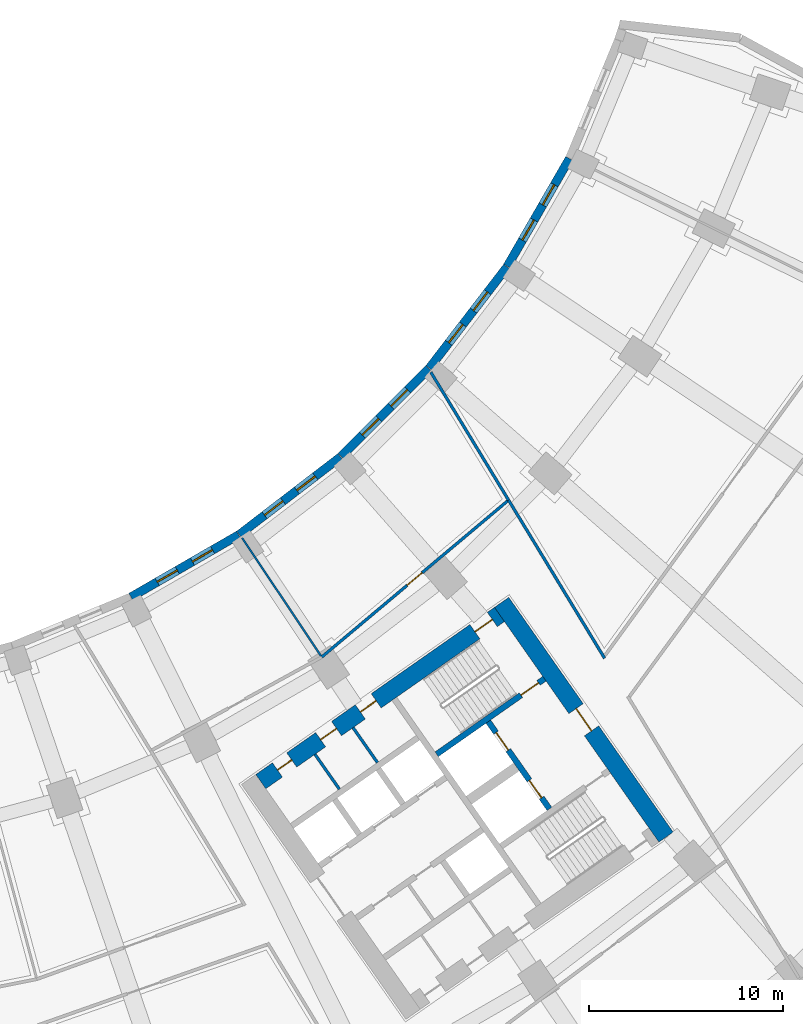
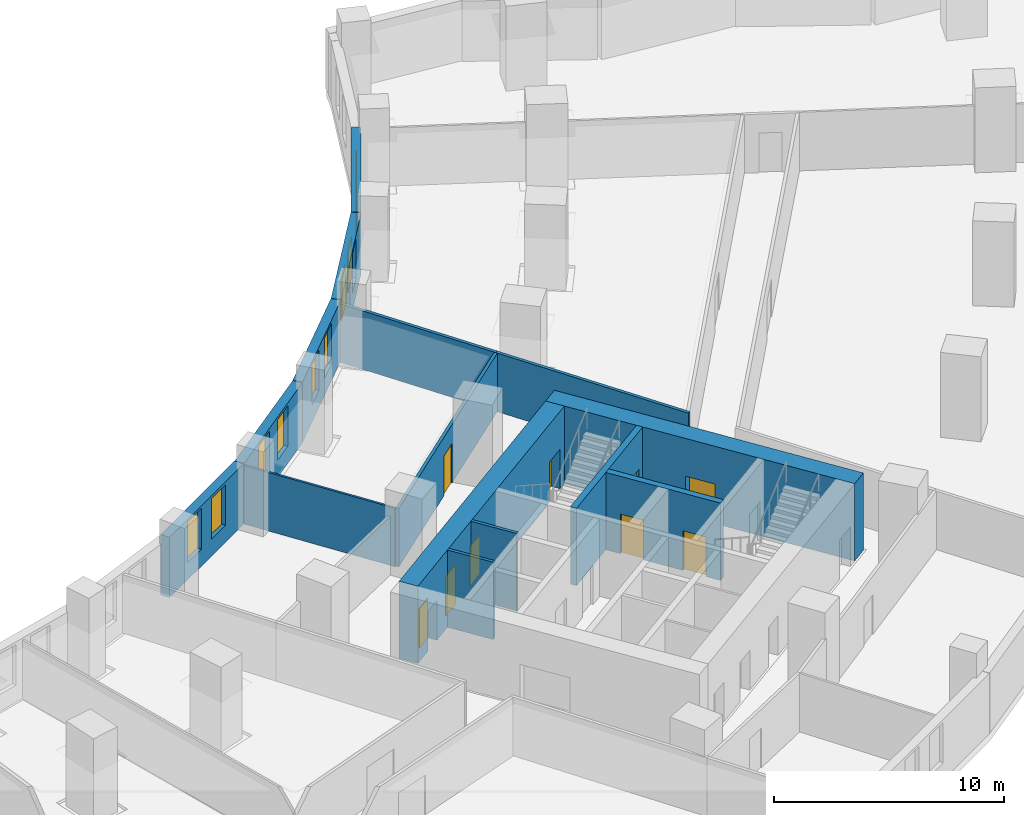
# One storey, part 11 of 20: 15 walls, 10 windows, 9 doors, 19 openings.
"""IFC4 building model written with IfcOpenShell, lengths in metres."""

from ifc_helpers import new_model, si_unit, direction, frame, frame_2d, origin, place, context, subcontext, project, spatial, rectangle, extrude, material, layer, layer_set, type_object, element, fill, save


model = new_model("IFC4")

# Units and contexts
model_context = context("Model", 3, precision=1e-05, world=origin(), true_north=direction((0.0, 1.0)))
body_context = subcontext(model_context, "Body", "Model", "MODEL_VIEW")
ifc_project = project(units=[si_unit("LENGTHUNIT", "METRE"), si_unit("AREAUNIT", "SQUARE_METRE"), si_unit("VOLUMEUNIT", "CUBIC_METRE"), si_unit("PLANEANGLEUNIT", "RADIAN"), si_unit("MASSUNIT", "GRAM", prefix="KILO")], contexts=[model_context])

# Site, building, storey
site_placement = place(None, origin())
site = spatial("IfcSite", under=ifc_project, at=site_placement, CompositionType="ELEMENT")
building_placement = place(site_placement, origin())
building = spatial("IfcBuilding", under=site, at=building_placement, Name="Qamariyya Broadcast Tower", CompositionType="ELEMENT")
storey_placement = place(building_placement, frame((0.0, 0.0, 31.5)))
storey = spatial("IfcBuildingStorey", under=building, at=storey_placement, Name="L04", CompositionType="ELEMENT", Elevation=31.5)

# Wall, opening, door
ifc_material_1 = material(Name="Concrete C70/85", Category="concrete")
ifc_layer_1 = layer(ifc_material_1, 0.89990234375)
ifc_layer_set_1 = layer_set([ifc_layer_1], Name="Core wall 900 mm Concrete C70/85")
wall_type_1 = type_object("IfcWallType", Name="Core wall 900 mm Concrete C70/85", PredefinedType="SHEAR", material=ifc_layer_set_1)
wall_1_placement = place(storey_placement, frame((49.778564453125, -57.191162109375, 0.0), z_axis=(0.0, 0.0, 1.0), x_axis=(-0.573577477574, 0.819151315216, 0.0)))
wall_1 = element("IfcWall", 1, at=wall_1_placement, inside=storey, type_object=wall_type_1, Name="k-E-L04-WH", PredefinedType="SHEAR", context=body_context, shape_type="SweptSolid", body=[
    extrude(rectangle(XDim=14.800048828125, YDim=0.89990234375, at=frame_2d((7.39990234375, 0.0))), origin(), (0.0, 0.0, 1.0), 4.10009765625),
])
opening_1_placement = place(wall_1_placement, frame((6.699951171875, 0.0, 0.0)))
opening_1 = element("IfcOpeningElement", 2, at=opening_1_placement, cuts=wall_1, Name="Opening KD2-E1", PredefinedType="OPENING", context=body_context, shape_type="SweptSolid", body=[
    extrude(rectangle(XDim=1.39990234375, YDim=2.10009765625, at=frame_2d((0.699951171875, 1.050048828125))), frame((0.0, 0.4599609375, 0.0), z_axis=(0.0, -1.0, 0.0), x_axis=(1.0, 0.0, 0.0)), (0.0, 0.0, 1.0), 0.919921875),
])
ifc_material_2 = material(Name="Steel fire-resisting door leaf", Category="steel")
door_type_1 = type_object("IfcDoorType", Name="Fire-fighting lobby door KD2", OperationType="DOUBLE_DOOR_SINGLE_SWING", PredefinedType="DOOR", material=ifc_material_2)
door_1_placement = place(opening_1_placement, origin())
door_1 = element("IfcDoor", 3, at=door_1_placement, inside=storey, type_object=door_type_1, Name="k-E-L04-WH-D15", OperationType="DOUBLE_DOOR_SINGLE_SWING", OverallHeight=2.10009765625, OverallWidth=1.39990234375, PredefinedType="DOOR", context=body_context, shape_type="SweptSolid", body=[
    extrude(rectangle(XDim=1.39990234375, YDim=2.10009765625, at=frame_2d((0.699951171875, 1.050048828125))), frame((0.0, 0.02490234375, 0.0), z_axis=(0.0, -1.0, 0.0), x_axis=(1.0, 0.0, 0.0)), (0.0, 0.0, 1.0), 0.050048828125),
])
fill(opening_1, door_1)

# Wall, openings, doors
wall_2_placement = place(storey_placement, frame((28.8544921875, -54.32421875, 0.0), z_axis=(0.0, 0.0, 1.0), x_axis=(0.819145767589, 0.573585400304, 0.0)))
wall_2 = element("IfcWall", 4, at=wall_2_placement, inside=storey, type_object=wall_type_1, Name="k-E-L04-WI", PredefinedType="SHEAR", context=body_context, shape_type="SweptSolid", body=[
    extrude(rectangle(XDim=15.04541015625, YDim=0.89990234375, at=frame_2d((7.522705078125, 0.0))), origin(), (0.0, 0.0, 1.0), 4.10009765625),
])
opening_2_placement = place(wall_2_placement, frame((1.050048828125, 0.0, 0.0)))
opening_2 = element("IfcOpeningElement", 5, at=opening_2_placement, cuts=wall_2, Name="Opening KD5-E1", PredefinedType="OPENING", context=body_context, shape_type="SweptSolid", body=[
    extrude(rectangle(XDim=0.89990234375, YDim=2.10009765625, at=frame_2d((0.449951171875, 1.050048828125))), frame((0.0, 0.4599609375, 0.0), z_axis=(0.0, -1.0, 0.0), x_axis=(1.0, 0.0, 0.0)), (0.0, 0.0, 1.0), 0.919921875),
])
opening_3_placement = place(wall_2_placement, frame((3.77490234375, 0.0, 0.0)))
opening_3 = element("IfcOpeningElement", 6, at=opening_3_placement, cuts=wall_2, Name="Opening KD7-E1", PredefinedType="OPENING", context=body_context, shape_type="SweptSolid", body=[
    extrude(rectangle(XDim=1.0, YDim=2.10009765625, at=frame_2d((0.5, 1.050048828125))), frame((0.0, 0.4599609375, 0.0), z_axis=(0.0, -1.0, 0.0), x_axis=(1.0, 0.0, 0.0)), (0.0, 0.0, 1.0), 0.919921875),
])
opening_4_placement = place(wall_2_placement, frame((6.27490234375, 0.0, 0.0)))
opening_4 = element("IfcOpeningElement", 7, at=opening_4_placement, cuts=wall_2, Name="Opening KD6-E3", PredefinedType="OPENING", context=body_context, shape_type="SweptSolid", body=[
    extrude(rectangle(XDim=1.0, YDim=2.10009765625, at=frame_2d((0.5, 1.050048828125))), frame((0.0, 0.4599609375, 0.0), z_axis=(0.0, -1.0, 0.0), x_axis=(1.0, 0.0, 0.0)), (0.0, 0.0, 1.0), 0.919921875),
])
opening_5_placement = place(wall_2_placement, frame((13.495361328125, 0.0, 0.0)))
opening_5 = element("IfcOpeningElement", 8, at=opening_5_placement, cuts=wall_2, Name="Opening KD1-E1", PredefinedType="OPENING", context=body_context, shape_type="SweptSolid", body=[
    extrude(rectangle(XDim=1.10009765625, YDim=2.10009765625, at=frame_2d((0.550048828125, 1.050048828125))), frame((0.0, 0.4599609375, 0.0), z_axis=(0.0, -1.0, 0.0), x_axis=(1.0, 0.0, 0.0)), (0.0, 0.0, 1.0), 0.919921875),
])
door_type_2 = type_object("IfcDoorType", Name="Accessible toilet door KD7", OperationType="SINGLE_SWING_LEFT", PredefinedType="DOOR", material=ifc_material_2)
door_2_placement = place(opening_3_placement, origin())
door_2 = element("IfcDoor", 9, at=door_2_placement, inside=storey, type_object=door_type_2, Name="k-E-L04-WI-D8", OperationType="SINGLE_SWING_RIGHT", OverallHeight=2.10009765625, OverallWidth=1.0, PredefinedType="DOOR", context=body_context, shape_type="SweptSolid", body=[
    extrude(rectangle(XDim=1.0, YDim=2.10009765625, at=frame_2d((0.5, 1.050048828125))), frame((0.0, 0.02490234375, 0.0), z_axis=(0.0, -1.0, 0.0), x_axis=(1.0, 0.0, 0.0)), (0.0, 0.0, 1.0), 0.050048828125),
])
fill(opening_3, door_2)
door_type_3 = type_object("IfcDoorType", Name="Core room door KD6", OperationType="SINGLE_SWING_LEFT", PredefinedType="DOOR", material=ifc_material_2)
door_3_placement = place(opening_4_placement, origin())
door_3 = element("IfcDoor", 10, at=door_3_placement, inside=storey, type_object=door_type_3, Name="k-E-L04-WI-D9", OperationType="SINGLE_SWING_LEFT", OverallHeight=2.10009765625, OverallWidth=1.0, PredefinedType="DOOR", context=body_context, shape_type="SweptSolid", body=[
    extrude(rectangle(XDim=1.0, YDim=2.10009765625, at=frame_2d((0.5, 1.050048828125))), frame((0.0, 0.02490234375, 0.0), z_axis=(0.0, -1.0, 0.0), x_axis=(1.0, 0.0, 0.0)), (0.0, 0.0, 1.0), 0.050048828125),
])
fill(opening_4, door_3)
door_type_4 = type_object("IfcDoorType", Name="Stair door KD1", OperationType="SINGLE_SWING_LEFT", PredefinedType="DOOR", material=ifc_material_2)
door_4_placement = place(opening_5_placement, origin())
door_4 = element("IfcDoor", 11, at=door_4_placement, inside=storey, type_object=door_type_4, Name="k-E-L04-WI-D16", OperationType="SINGLE_SWING_RIGHT", OverallHeight=2.10009765625, OverallWidth=1.10009765625, PredefinedType="DOOR", context=body_context, shape_type="SweptSolid", body=[
    extrude(rectangle(XDim=1.10009765625, YDim=2.10009765625, at=frame_2d((0.550048828125, 1.050048828125))), frame((0.0, 0.02490234375, 0.0), z_axis=(0.0, -1.0, 0.0), x_axis=(1.0, 0.0, 0.0)), (0.0, 0.0, 1.0), 0.050048828125),
])
fill(opening_5, door_4)
door_type_5 = type_object("IfcDoorType", Name="Toilet door KD5", OperationType="SINGLE_SWING_LEFT", PredefinedType="DOOR", material=ifc_material_2)
door_5_placement = place(opening_2_placement, origin())
door_5 = element("IfcDoor", 12, at=door_5_placement, inside=storey, type_object=door_type_5, Name="k-E-L04-WI-D7", OperationType="SINGLE_SWING_LEFT", OverallHeight=2.10009765625, OverallWidth=0.89990234375, PredefinedType="DOOR", context=body_context, shape_type="SweptSolid", body=[
    extrude(rectangle(XDim=0.89990234375, YDim=2.10009765625, at=frame_2d((0.449951171875, 1.050048828125))), frame((0.0, 0.02490234375, 0.0), z_axis=(0.0, -1.0, 0.0), x_axis=(1.0, 0.0, 0.0)), (0.0, 0.0, 1.0), 0.050048828125),
])
fill(opening_2, door_5)

# Wall, opening, door
ifc_material_3 = material(Name="Gypsum board partition")
ifc_layer_2 = layer(ifc_material_3, 0.14990234375)
ifc_layer_set_2 = layer_set([ifc_layer_2], Name="Corridor partition 150 EI 60")
wall_type_2 = type_object("IfcWallType", Name="Corridor partition 150 EI 60", PredefinedType="PARTITIONING", material=ifc_layer_set_2)
wall_3_placement = place(storey_placement, frame((32.000732421875, -47.892578125, 0.0), z_axis=(0.0, 0.0, 1.0), x_axis=(0.765734049768, 0.643157340801, 0.0)))
wall_3 = element("IfcWall", 13, at=wall_3_placement, inside=storey, type_object=wall_type_2, Name="Partition L04-051", PredefinedType="PARTITIONING", context=body_context, shape_type="SweptSolid", body=[
    extrude(rectangle(XDim=12.52392578125, YDim=0.14990234375, at=frame_2d((6.261962890625, 0.0))), origin(), (0.0, 0.0, 1.0), 3.10009765625),
])
opening_6_placement = place(wall_3_placement, frame((5.761962890625, 0.0, 0.0)))
opening_6 = element("IfcOpeningElement", 14, at=opening_6_placement, cuts=wall_3, Name="Opening L04-D23", PredefinedType="OPENING", context=body_context, shape_type="SweptSolid", body=[
    extrude(rectangle(XDim=1.0, YDim=2.10009765625, at=frame_2d((0.5, 1.050048828125))), frame((0.0, 0.0849609375, 0.0), z_axis=(0.0, -1.0, 0.0), x_axis=(1.0, 0.0, 0.0)), (0.0, 0.0, 1.0), 0.169921875),
])
ifc_material_4 = material(Name="Timber fire door leaf", Category="wood")
door_type_6 = type_object("IfcDoorType", Name="Fire door 1000 x 2100 FD60", OperationType="NOTDEFINED", PredefinedType="DOOR", material=ifc_material_4)
door_6_placement = place(opening_6_placement, origin())
door_6 = element("IfcDoor", 15, at=door_6_placement, inside=storey, type_object=door_type_6, Name="Door L04-D23", OperationType="SINGLE_SWING_RIGHT", OverallHeight=2.10009765625, OverallWidth=1.0, PredefinedType="DOOR", context=body_context, shape_type="SweptSolid", body=[
    extrude(rectangle(XDim=1.0, YDim=2.10009765625, at=frame_2d((0.5, 1.050048828125))), frame((0.0, 0.02490234375, 0.0), z_axis=(0.0, -1.0, 0.0), x_axis=(1.0, 0.0, 0.0)), (0.0, 0.0, 1.0), 0.050048828125),
])
fill(opening_6, door_6)

# Walls
wall_4_placement = place(storey_placement, frame((37.6376953125, -33.18701171875, 0.0), z_axis=(0.0, 0.0, 1.0), x_axis=(0.519163683086, -0.854674833, 0.0)))
element("IfcWall", 16, at=wall_4_placement, inside=storey, type_object=wall_type_2, Name="Partition L04-054", PredefinedType="PARTITIONING", context=body_context, shape_type="SweptSolid", body=[
    extrude(rectangle(XDim=7.724853515625, YDim=0.14990234375, at=frame_2d((3.8623046875, 0.0))), origin(), (0.0, 0.0, 1.0), 3.10009765625),
])
wall_5_placement = place(storey_placement, frame((41.648193359375, -39.789306640625, 0.0), z_axis=(0.0, 0.0, 1.0), x_axis=(0.519144162426, -0.854686690325, 0.0)))
element("IfcWall", 17, at=wall_5_placement, inside=storey, type_object=wall_type_2, Name="Partition L04-056", PredefinedType="PARTITIONING", context=body_context, shape_type="SweptSolid", body=[
    extrude(rectangle(XDim=9.55419921875, YDim=0.14990234375, at=frame_2d((4.777099609375, 0.0))), origin(), (0.0, 0.0, 1.0), 3.10009765625),
])
ifc_material_5 = material(Name="Gypsum board partition on steel studs", Category="steel")
ifc_layer_3 = layer(ifc_material_5, 0.14990234375)
ifc_layer_set_3 = layer_set([ifc_layer_3], Name="Gypsum board partition 150 mm")
wall_type_3 = type_object("IfcWallType", Name="Gypsum board partition 150 mm", PredefinedType="PARTITIONING", material=ifc_layer_set_3)
wall_6_placement = place(storey_placement, frame((32.9140625, -54.716796875, 0.0), z_axis=(0.0, 0.0, 1.0), x_axis=(-0.573581496053, 0.819148501424, 0.0)))
element("IfcWall", 18, at=wall_6_placement, inside=storey, type_object=wall_type_3, Name="k-E-L04-NP310", PredefinedType="PARTITIONING", context=body_context, shape_type="SweptSolid", body=[
    extrude(rectangle(XDim=2.2001953125, YDim=0.14990234375, at=frame_2d((1.10009765625, 0.0))), origin(), (0.0, 0.0, 1.0), 4.10009765625),
])
wall_7_placement = place(storey_placement, frame((34.8798828125, -53.340087890625, 0.0), z_axis=(0.0, 0.0, 1.0), x_axis=(-0.573559170999, 0.819164133348, 0.0)))
element("IfcWall", 19, at=wall_7_placement, inside=storey, type_object=wall_type_3, Name="k-E-L04-NP550", PredefinedType="PARTITIONING", context=body_context, shape_type="SweptSolid", body=[
    extrude(rectangle(XDim=2.19970703125, YDim=0.14990234375, at=frame_2d((1.099853515625, 0.0))), origin(), (0.0, 0.0, 1.0), 4.10009765625),
])

# Wall, opening, door
ifc_material_6 = material(Name="Concrete C60/75", Category="concrete")
ifc_layer_4 = layer(ifc_material_6, 0.300048828125)
ifc_layer_set_4 = layer_set([ifc_layer_4], Name="Lift shaft wall 300 mm Concrete C60/75")
wall_type_4 = type_object("IfcWallType", Name="Lift shaft wall 300 mm Concrete C60/75", PredefinedType="SOLIDWALL", material=ifc_layer_set_4)
wall_8_placement = place(storey_placement, frame((37.935546875, -52.90966796875, 0.0), z_axis=(0.0, 0.0, 1.0), x_axis=(0.819147518138, 0.57358290031, 0.0)))
wall_8 = element("IfcWall", 20, at=wall_8_placement, inside=storey, type_object=wall_type_4, Name="k-E-L04-NW", PredefinedType="SOLIDWALL", context=body_context, shape_type="SweptSolid", body=[
    extrude(rectangle(XDim=6.79541015625, YDim=0.300048828125, at=frame_2d((3.397705078125, 0.0))), origin(), (0.0, 0.0, 1.0), 4.10009765625),
])
opening_7_placement = place(wall_8_placement, frame((5.3203125, 0.0, 0.0)))
opening_7 = element("IfcOpeningElement", 21, at=opening_7_placement, cuts=wall_8, Name="Opening KD1-E2", PredefinedType="OPENING", context=body_context, shape_type="SweptSolid", body=[
    extrude(rectangle(XDim=1.10009765625, YDim=2.10009765625, at=frame_2d((0.550048828125, 1.050048828125))), frame((0.0, 0.159912109375, 0.0), z_axis=(0.0, -1.0, 0.0), x_axis=(1.0, 0.0, 0.0)), (0.0, 0.0, 1.0), 0.320068359375),
])
door_7_placement = place(opening_7_placement, origin())
door_7 = element("IfcDoor", 22, at=door_7_placement, inside=storey, type_object=door_type_4, Name="k-E-L04-NW-D17", OperationType="SINGLE_SWING_LEFT", OverallHeight=2.10009765625, OverallWidth=1.10009765625, PredefinedType="DOOR", context=body_context, shape_type="SweptSolid", body=[
    extrude(rectangle(XDim=1.10009765625, YDim=2.10009765625, at=frame_2d((0.550048828125, 1.050048828125))), frame((0.0, 0.02490234375, 0.0), z_axis=(0.0, -1.0, 0.0), x_axis=(1.0, 0.0, 0.0)), (0.0, 0.0, 1.0), 0.050048828125),
])
fill(opening_7, door_7)

# Wall, openings, doors
wall_9_placement = place(storey_placement, frame((43.756591796875, -55.731201171875, 0.0), z_axis=(0.0, 0.0, 1.0), x_axis=(-0.573536818435, 0.819179783625, 0.0)))
wall_9 = element("IfcWall", 23, at=wall_9_placement, inside=storey, type_object=wall_type_4, Name="k-E-L04-FF", PredefinedType="SOLIDWALL", context=body_context, shape_type="SweptSolid", body=[
    extrude(rectangle(XDim=5.500244140625, YDim=0.300048828125, at=frame_2d((2.75, 0.0))), origin(), (0.0, 0.0, 1.0), 4.10009765625),
])
opening_8_placement = place(wall_9_placement, frame((0.699951171875, 0.0, 0.0)))
opening_8 = element("IfcOpeningElement", 24, at=opening_8_placement, cuts=wall_9, Name="Opening LD", PredefinedType="OPENING", context=body_context, shape_type="SweptSolid", body=[
    extrude(rectangle(XDim=1.10009765625, YDim=2.10009765625, at=frame_2d((0.550048828125, 1.050048828125))), frame((0.0, 0.159912109375, 0.0), z_axis=(0.0, -1.0, 0.0), x_axis=(1.0, 0.0, 0.0)), (0.0, 0.0, 1.0), 0.320068359375),
])
opening_9_placement = place(wall_9_placement, frame((3.699951171875, 0.0, 0.0)))
opening_9 = element("IfcOpeningElement", 25, at=opening_9_placement, cuts=wall_9, Name="Opening LD", PredefinedType="OPENING", context=body_context, shape_type="SweptSolid", body=[
    extrude(rectangle(XDim=1.10009765625, YDim=2.10009765625, at=frame_2d((0.550048828125, 1.050048828125))), frame((0.0, 0.159912109375, 0.0), z_axis=(0.0, -1.0, 0.0), x_axis=(1.0, 0.0, 0.0)), (0.0, 0.0, 1.0), 0.320068359375),
])
door_type_7 = type_object("IfcDoorType", Name="Lift landing door LD", OperationType="DOUBLE_DOOR_SLIDING", PredefinedType="DOOR", material=ifc_material_2)
door_8_placement = place(opening_8_placement, origin())
door_8 = element("IfcDoor", 26, at=door_8_placement, inside=storey, type_object=door_type_7, Name="k-E-L04-FF-D13", OperationType="DOUBLE_DOOR_SLIDING", OverallHeight=2.10009765625, OverallWidth=1.10009765625, PredefinedType="DOOR", context=body_context, shape_type="SweptSolid", body=[
    extrude(rectangle(XDim=1.10009765625, YDim=2.10009765625, at=frame_2d((0.550048828125, 1.050048828125))), frame((0.0, 0.02490234375, 0.0), z_axis=(0.0, -1.0, 0.0), x_axis=(1.0, 0.0, 0.0)), (0.0, 0.0, 1.0), 0.050048828125),
])
fill(opening_8, door_8)
door_9_placement = place(opening_9_placement, origin())
door_9 = element("IfcDoor", 27, at=door_9_placement, inside=storey, type_object=door_type_7, Name="k-E-L04-FF-D14", OperationType="DOUBLE_DOOR_SLIDING", OverallHeight=2.10009765625, OverallWidth=1.10009765625, PredefinedType="DOOR", context=body_context, shape_type="SweptSolid", body=[
    extrude(rectangle(XDim=1.10009765625, YDim=2.10009765625, at=frame_2d((0.550048828125, 1.050048828125))), frame((0.0, 0.02490234375, 0.0), z_axis=(0.0, -1.0, 0.0), x_axis=(1.0, 0.0, 0.0)), (0.0, 0.0, 1.0), 0.050048828125),
])
fill(opening_9, door_9)

# Wall
ifc_layer_5 = layer(ifc_material_3, 0.10009765625)
ifc_layer_set_5 = layer_set([ifc_layer_5], Name="Partition 100")
wall_type_5 = type_object("IfcWallType", Name="Partition 100", PredefinedType="PARTITIONING", material=ifc_layer_set_5)
wall_10_placement = place(storey_placement, frame((27.8896484375, -41.73974609375, 0.0), z_axis=(0.0, 0.0, 1.0), x_axis=(0.555569023768, -0.831470420297, 0.0)))
element("IfcWall", 28, at=wall_10_placement, inside=storey, type_object=wall_type_5, Name="Partition L04-049", PredefinedType="PARTITIONING", context=body_context, shape_type="SweptSolid", body=[
    extrude(rectangle(XDim=7.324951171875, YDim=0.10009765625, at=frame_2d((3.66259765625, 0.0))), origin(), (0.0, 0.0, 1.0), 3.10009765625),
])

# Wall, openings, windows
ifc_material_7 = material(Name="Precast concrete C40/50 with terracotta facing", Category="masonry")
ifc_layer_6 = layer(ifc_material_7, 0.449951171875)
ifc_layer_set_6 = layer_set([ifc_layer_6], Name="Precast concrete C40/50 wall 450, terracotta faced")
wall_type_6 = type_object("IfcWallType", Name="Precast concrete C40/50 wall 450, terracotta faced", PredefinedType="SOLIDWALL", material=ifc_layer_set_6)
wall_11_placement = place(storey_placement, frame((27.7138671875, -41.58251953125, 0.0), z_axis=(0.0, 0.0, 1.0), x_axis=(-0.866022817921, -0.50000447882, 0.0)))
wall_11 = element("IfcWall", 29, at=wall_11_placement, inside=storey, type_object=wall_type_6, Name="e-wl-L04-in140", PredefinedType="SOLIDWALL", context=body_context, shape_type="SweptSolid", body=[
    extrude(rectangle(XDim=6.41943359375, YDim=0.449951171875, at=frame_2d((3.209716796875, 0.0))), origin(), (0.0, 0.0, 1.0), 3.199951171875),
])
opening_10_placement = place(wall_11_placement, frame((3.65966796875, 0.0, 0.89990234375)))
opening_10 = element("IfcOpeningElement", 30, at=opening_10_placement, cuts=wall_11, Name="Opening W3", PredefinedType="OPENING", context=body_context, shape_type="SweptSolid", body=[
    extrude(rectangle(XDim=1.199951171875, YDim=2.14990234375, at=frame_2d((0.60009765625, 1.074951171875))), frame((0.0, 0.23486328125, 0.0), z_axis=(0.0, -1.0, 0.0), x_axis=(1.0, 0.0, 0.0)), (0.0, 0.0, 1.0), 0.469970703125),
])
opening_11_placement = place(wall_11_placement, frame((1.5595703125, 0.0, 0.89990234375)))
opening_11 = element("IfcOpeningElement", 31, at=opening_11_placement, cuts=wall_11, Name="Opening W3", PredefinedType="OPENING", context=body_context, shape_type="SweptSolid", body=[
    extrude(rectangle(XDim=1.199951171875, YDim=2.14990234375, at=frame_2d((0.60009765625, 1.074951171875))), frame((0.0, 0.23486328125, 0.0), z_axis=(0.0, -1.0, 0.0), x_axis=(1.0, 0.0, 0.0)), (0.0, 0.0, 1.0), 0.469970703125),
])
ifc_material_8 = material(Name="Clear low-e double glazed unit in aluminium frame", Category="aluminium")
window_type = type_object("IfcWindowType", Name="Podium window 1200 x 2150", PartitioningType="SINGLE_PANEL", PredefinedType="WINDOW", material=ifc_material_8)
window_1_placement = place(opening_10_placement, origin())
window_1 = element("IfcWindow", 32, at=window_1_placement, inside=storey, type_object=window_type, Name="e-w-L04-in14a", OverallHeight=2.14990234375, OverallWidth=1.199951171875, PartitioningType="SINGLE_PANEL", PredefinedType="WINDOW", context=body_context, shape_type="SweptSolid", body=[
    extrude(rectangle(XDim=1.199951171875, YDim=2.14990234375, at=frame_2d((0.60009765625, 1.074951171875))), frame((0.0, 0.030029296875, 0.0), z_axis=(0.0, -1.0, 0.0), x_axis=(1.0, 0.0, 0.0)), (0.0, 0.0, 1.0), 0.06005859375),
])
fill(opening_10, window_1)
window_2_placement = place(opening_11_placement, origin())
window_2 = element("IfcWindow", 33, at=window_2_placement, inside=storey, type_object=window_type, Name="e-w-L04-in14b", OverallHeight=2.14990234375, OverallWidth=1.199951171875, PartitioningType="SINGLE_PANEL", PredefinedType="WINDOW", context=body_context, shape_type="SweptSolid", body=[
    extrude(rectangle(XDim=1.199951171875, YDim=2.14990234375, at=frame_2d((0.60009765625, 1.074951171875))), frame((0.0, 0.030029296875, 0.0), z_axis=(0.0, -1.0, 0.0), x_axis=(1.0, 0.0, 0.0)), (0.0, 0.0, 1.0), 0.06005859375),
])
fill(opening_11, window_2)

wall_12_placement = place(storey_placement, frame((32.974853515625, -37.55517578125, 0.0), z_axis=(0.0, 0.0, 1.0), x_axis=(-0.793338838284, -0.608780327927, 0.0)))
wall_12 = element("IfcWall", 34, at=wall_12_placement, inside=storey, type_object=wall_type_6, Name="e-wl-L04-in150", PredefinedType="SOLIDWALL", context=body_context, shape_type="SweptSolid", body=[
    extrude(rectangle(XDim=6.596923828125, YDim=0.449951171875, at=frame_2d((3.29833984375, 0.0))), origin(), (0.0, 0.0, 1.0), 3.199951171875),
])
opening_12_placement = place(wall_12_placement, frame((3.74853515625, 0.0, 0.89990234375)))
opening_12 = element("IfcOpeningElement", 35, at=opening_12_placement, cuts=wall_12, Name="Opening W3", PredefinedType="OPENING", context=body_context, shape_type="SweptSolid", body=[
    extrude(rectangle(XDim=1.199951171875, YDim=2.14990234375, at=frame_2d((0.60009765625, 1.074951171875))), frame((0.0, 0.23486328125, 0.0), z_axis=(0.0, -1.0, 0.0), x_axis=(1.0, 0.0, 0.0)), (0.0, 0.0, 1.0), 0.469970703125),
])
opening_13_placement = place(wall_12_placement, frame((1.6484375, 0.0, 0.89990234375)))
opening_13 = element("IfcOpeningElement", 36, at=opening_13_placement, cuts=wall_12, Name="Opening W3", PredefinedType="OPENING", context=body_context, shape_type="SweptSolid", body=[
    extrude(rectangle(XDim=1.199951171875, YDim=2.14990234375, at=frame_2d((0.60009765625, 1.074951171875))), frame((0.0, 0.23486328125, 0.0), z_axis=(0.0, -1.0, 0.0), x_axis=(1.0, 0.0, 0.0)), (0.0, 0.0, 1.0), 0.469970703125),
])
window_3_placement = place(opening_12_placement, origin())
window_3 = element("IfcWindow", 37, at=window_3_placement, inside=storey, type_object=window_type, Name="e-w-L04-in15a", OverallHeight=2.14990234375, OverallWidth=1.199951171875, PartitioningType="SINGLE_PANEL", PredefinedType="WINDOW", context=body_context, shape_type="SweptSolid", body=[
    extrude(rectangle(XDim=1.199951171875, YDim=2.14990234375, at=frame_2d((0.60009765625, 1.074951171875))), frame((0.0, 0.030029296875, 0.0), z_axis=(0.0, -1.0, 0.0), x_axis=(1.0, 0.0, 0.0)), (0.0, 0.0, 1.0), 0.06005859375),
])
fill(opening_12, window_3)
window_4_placement = place(opening_13_placement, origin())
window_4 = element("IfcWindow", 38, at=window_4_placement, inside=storey, type_object=window_type, Name="e-w-L04-in15b", OverallHeight=2.14990234375, OverallWidth=1.199951171875, PartitioningType="SINGLE_PANEL", PredefinedType="WINDOW", context=body_context, shape_type="SweptSolid", body=[
    extrude(rectangle(XDim=1.199951171875, YDim=2.14990234375, at=frame_2d((0.60009765625, 1.074951171875))), frame((0.0, 0.030029296875, 0.0), z_axis=(0.0, -1.0, 0.0), x_axis=(1.0, 0.0, 0.0)), (0.0, 0.0, 1.0), 0.06005859375),
])
fill(opening_13, window_4)

wall_13_placement = place(storey_placement, frame((37.531982421875, -32.992919921875, 0.0), z_axis=(0.0, 0.0, 1.0), x_axis=(-0.707106781187, -0.707106781187, 0.0)))
wall_13 = element("IfcWall", 39, at=wall_13_placement, inside=storey, type_object=wall_type_6, Name="e-wl-L04-in160", PredefinedType="SOLIDWALL", context=body_context, shape_type="SweptSolid", body=[
    extrude(rectangle(XDim=6.419189453125, YDim=0.449951171875, at=frame_2d((3.20947265625, 0.0))), origin(), (0.0, 0.0, 1.0), 3.199951171875),
])
opening_14_placement = place(wall_13_placement, frame((3.65966796875, 0.0, 0.89990234375)))
opening_14 = element("IfcOpeningElement", 40, at=opening_14_placement, cuts=wall_13, Name="Opening W3", PredefinedType="OPENING", context=body_context, shape_type="SweptSolid", body=[
    extrude(rectangle(XDim=1.199951171875, YDim=2.14990234375, at=frame_2d((0.60009765625, 1.074951171875))), frame((0.0, 0.23486328125, 0.0), z_axis=(0.0, -1.0, 0.0), x_axis=(1.0, 0.0, 0.0)), (0.0, 0.0, 1.0), 0.469970703125),
])
opening_15_placement = place(wall_13_placement, frame((1.5595703125, 0.0, 0.89990234375)))
opening_15 = element("IfcOpeningElement", 41, at=opening_15_placement, cuts=wall_13, Name="Opening W3", PredefinedType="OPENING", context=body_context, shape_type="SweptSolid", body=[
    extrude(rectangle(XDim=1.199951171875, YDim=2.14990234375, at=frame_2d((0.60009765625, 1.074951171875))), frame((0.0, 0.23486328125, 0.0), z_axis=(0.0, -1.0, 0.0), x_axis=(1.0, 0.0, 0.0)), (0.0, 0.0, 1.0), 0.469970703125),
])
window_5_placement = place(opening_14_placement, origin())
window_5 = element("IfcWindow", 42, at=window_5_placement, inside=storey, type_object=window_type, Name="e-w-L04-in16a", OverallHeight=2.14990234375, OverallWidth=1.199951171875, PartitioningType="SINGLE_PANEL", PredefinedType="WINDOW", context=body_context, shape_type="SweptSolid", body=[
    extrude(rectangle(XDim=1.199951171875, YDim=2.14990234375, at=frame_2d((0.60009765625, 1.074951171875))), frame((0.0, 0.030029296875, 0.0), z_axis=(0.0, -1.0, 0.0), x_axis=(1.0, 0.0, 0.0)), (0.0, 0.0, 1.0), 0.06005859375),
])
fill(opening_14, window_5)
window_6_placement = place(opening_15_placement, origin())
window_6 = element("IfcWindow", 43, at=window_6_placement, inside=storey, type_object=window_type, Name="e-w-L04-in16b", OverallHeight=2.14990234375, OverallWidth=1.199951171875, PartitioningType="SINGLE_PANEL", PredefinedType="WINDOW", context=body_context, shape_type="SweptSolid", body=[
    extrude(rectangle(XDim=1.199951171875, YDim=2.14990234375, at=frame_2d((0.60009765625, 1.074951171875))), frame((0.0, 0.030029296875, 0.0), z_axis=(0.0, -1.0, 0.0), x_axis=(1.0, 0.0, 0.0)), (0.0, 0.0, 1.0), 0.06005859375),
])
fill(opening_15, window_6)

wall_14_placement = place(storey_placement, frame((41.5712890625, -27.7412109375, 0.0), z_axis=(0.0, 0.0, 1.0), x_axis=(-0.608780327927, -0.793338838284, 0.0)))
wall_14 = element("IfcWall", 44, at=wall_14_placement, inside=storey, type_object=wall_type_6, Name="e-wl-L04-in170", PredefinedType="SOLIDWALL", context=body_context, shape_type="SweptSolid", body=[
    extrude(rectangle(XDim=6.596923828125, YDim=0.449951171875, at=frame_2d((3.29833984375, 0.0))), origin(), (0.0, 0.0, 1.0), 3.199951171875),
])
opening_16_placement = place(wall_14_placement, frame((3.74853515625, 0.0, 0.89990234375)))
opening_16 = element("IfcOpeningElement", 45, at=opening_16_placement, cuts=wall_14, Name="Opening W3", PredefinedType="OPENING", context=body_context, shape_type="SweptSolid", body=[
    extrude(rectangle(XDim=1.199951171875, YDim=2.14990234375, at=frame_2d((0.60009765625, 1.074951171875))), frame((0.0, 0.23486328125, 0.0), z_axis=(0.0, -1.0, 0.0), x_axis=(1.0, 0.0, 0.0)), (0.0, 0.0, 1.0), 0.469970703125),
])
opening_17_placement = place(wall_14_placement, frame((1.6484375, 0.0, 0.89990234375)))
opening_17 = element("IfcOpeningElement", 46, at=opening_17_placement, cuts=wall_14, Name="Opening W3", PredefinedType="OPENING", context=body_context, shape_type="SweptSolid", body=[
    extrude(rectangle(XDim=1.199951171875, YDim=2.14990234375, at=frame_2d((0.60009765625, 1.074951171875))), frame((0.0, 0.23486328125, 0.0), z_axis=(0.0, -1.0, 0.0), x_axis=(1.0, 0.0, 0.0)), (0.0, 0.0, 1.0), 0.469970703125),
])
window_7_placement = place(opening_16_placement, origin())
window_7 = element("IfcWindow", 47, at=window_7_placement, inside=storey, type_object=window_type, Name="e-w-L04-in17a", OverallHeight=2.14990234375, OverallWidth=1.199951171875, PartitioningType="SINGLE_PANEL", PredefinedType="WINDOW", context=body_context, shape_type="SweptSolid", body=[
    extrude(rectangle(XDim=1.199951171875, YDim=2.14990234375, at=frame_2d((0.60009765625, 1.074951171875))), frame((0.0, 0.030029296875, 0.0), z_axis=(0.0, -1.0, 0.0), x_axis=(1.0, 0.0, 0.0)), (0.0, 0.0, 1.0), 0.06005859375),
])
fill(opening_16, window_7)
window_8_placement = place(opening_17_placement, origin())
window_8 = element("IfcWindow", 48, at=window_8_placement, inside=storey, type_object=window_type, Name="e-w-L04-in17b", OverallHeight=2.14990234375, OverallWidth=1.199951171875, PartitioningType="SINGLE_PANEL", PredefinedType="WINDOW", context=body_context, shape_type="SweptSolid", body=[
    extrude(rectangle(XDim=1.199951171875, YDim=2.14990234375, at=frame_2d((0.60009765625, 1.074951171875))), frame((0.0, 0.030029296875, 0.0), z_axis=(0.0, -1.0, 0.0), x_axis=(1.0, 0.0, 0.0)), (0.0, 0.0, 1.0), 0.06005859375),
])
fill(opening_17, window_8)

wall_15_placement = place(storey_placement, frame((44.792236328125, -22.154541015625, 0.0), z_axis=(0.0, 0.0, 1.0), x_axis=(-0.50000447882, -0.866022817921, 0.0)))
wall_15 = element("IfcWall", 49, at=wall_15_placement, inside=storey, type_object=wall_type_6, Name="e-wl-L04-in180", PredefinedType="SOLIDWALL", context=body_context, shape_type="SweptSolid", body=[
    extrude(rectangle(XDim=6.41943359375, YDim=0.449951171875, at=frame_2d((3.209716796875, 0.0))), origin(), (0.0, 0.0, 1.0), 3.199951171875),
])
opening_18_placement = place(wall_15_placement, frame((3.65966796875, 0.0, 0.89990234375)))
opening_18 = element("IfcOpeningElement", 50, at=opening_18_placement, cuts=wall_15, Name="Opening W3", PredefinedType="OPENING", context=body_context, shape_type="SweptSolid", body=[
    extrude(rectangle(XDim=1.199951171875, YDim=2.14990234375, at=frame_2d((0.60009765625, 1.074951171875))), frame((0.0, 0.23486328125, 0.0), z_axis=(0.0, -1.0, 0.0), x_axis=(1.0, 0.0, 0.0)), (0.0, 0.0, 1.0), 0.469970703125),
])
opening_19_placement = place(wall_15_placement, frame((1.5595703125, 0.0, 0.89990234375)))
opening_19 = element("IfcOpeningElement", 51, at=opening_19_placement, cuts=wall_15, Name="Opening W3", PredefinedType="OPENING", context=body_context, shape_type="SweptSolid", body=[
    extrude(rectangle(XDim=1.199951171875, YDim=2.14990234375, at=frame_2d((0.60009765625, 1.074951171875))), frame((0.0, 0.23486328125, 0.0), z_axis=(0.0, -1.0, 0.0), x_axis=(1.0, 0.0, 0.0)), (0.0, 0.0, 1.0), 0.469970703125),
])
window_9_placement = place(opening_18_placement, origin())
window_9 = element("IfcWindow", 52, at=window_9_placement, inside=storey, type_object=window_type, Name="e-w-L04-in18a", OverallHeight=2.14990234375, OverallWidth=1.199951171875, PartitioningType="SINGLE_PANEL", PredefinedType="WINDOW", context=body_context, shape_type="SweptSolid", body=[
    extrude(rectangle(XDim=1.199951171875, YDim=2.14990234375, at=frame_2d((0.60009765625, 1.074951171875))), frame((0.0, 0.030029296875, 0.0), z_axis=(0.0, -1.0, 0.0), x_axis=(1.0, 0.0, 0.0)), (0.0, 0.0, 1.0), 0.06005859375),
])
fill(opening_18, window_9)
window_10_placement = place(opening_19_placement, origin())
window_10 = element("IfcWindow", 53, at=window_10_placement, inside=storey, type_object=window_type, Name="e-w-L04-in18b", OverallHeight=2.14990234375, OverallWidth=1.199951171875, PartitioningType="SINGLE_PANEL", PredefinedType="WINDOW", context=body_context, shape_type="SweptSolid", body=[
    extrude(rectangle(XDim=1.199951171875, YDim=2.14990234375, at=frame_2d((0.60009765625, 1.074951171875))), frame((0.0, 0.030029296875, 0.0), z_axis=(0.0, -1.0, 0.0), x_axis=(1.0, 0.0, 0.0)), (0.0, 0.0, 1.0), 0.06005859375),
])
fill(opening_19, window_10)

save(model, "model.ifc")
